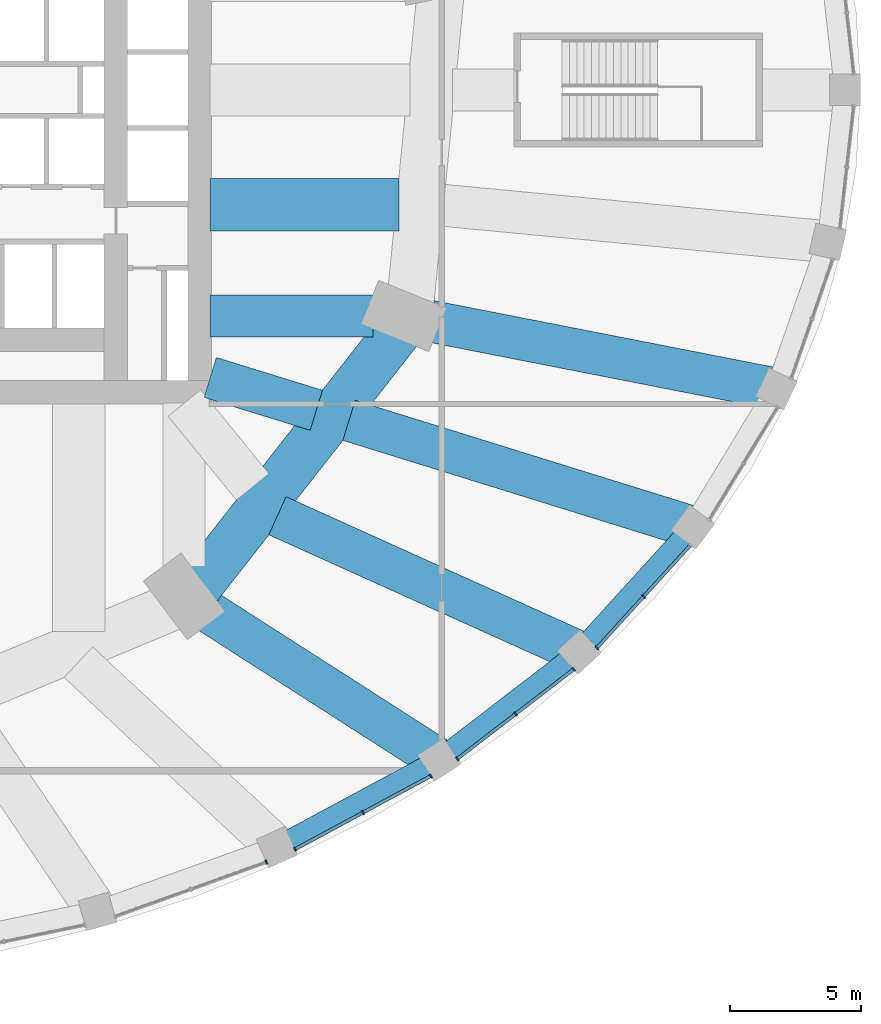
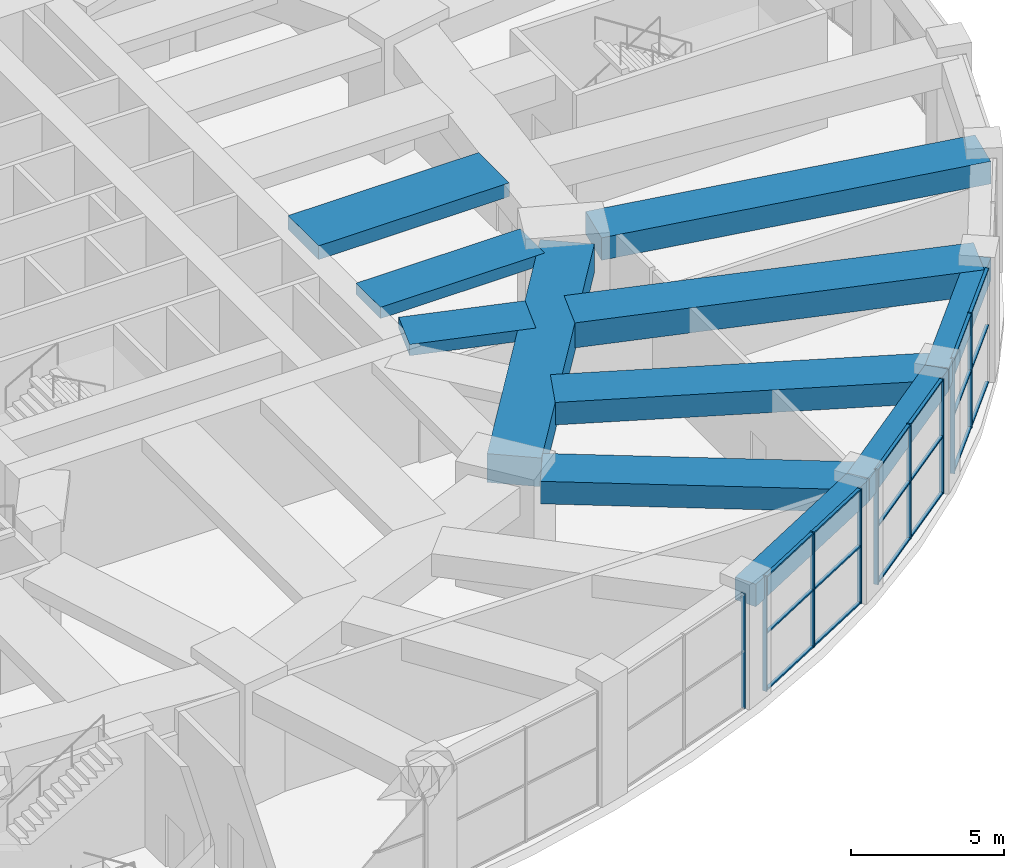
# One storey, part 12 of 32: 27 members, 11 beams, 4 elements without a shape of their own.
"""IFC4 building model written with IfcOpenShell, lengths in metres."""

from ifc_helpers import new_model, si_unit, direction, frame, origin, origin_2d, place, context, subcontext, project, spatial, rectangle, extrude, material, material_profile, profile_set, type_object, element, aggregate, save


model = new_model("IFC4")

# Units and contexts
model_context = context("Model", 3, precision=1e-05, world=origin(), true_north=direction((0.0, 1.0)))
body_context = subcontext(model_context, "Body", "Model", "MODEL_VIEW")
ifc_project = project(units=[si_unit("LENGTHUNIT", "METRE"), si_unit("AREAUNIT", "SQUARE_METRE"), si_unit("VOLUMEUNIT", "CUBIC_METRE"), si_unit("PLANEANGLEUNIT", "RADIAN"), si_unit("MASSUNIT", "GRAM", prefix="KILO")], contexts=[model_context])

# Site, building, storey
site_placement = place(None, origin())
site = spatial("IfcSite", under=ifc_project, at=site_placement, CompositionType="ELEMENT")
building_placement = place(site_placement, origin())
building = spatial("IfcBuilding", under=site, at=building_placement, Name="Taillehof Tower", CompositionType="ELEMENT")
storey_placement = place(building_placement, frame((0.0, 0.0, 7.5)))
storey = spatial("IfcBuildingStorey", under=building, at=storey_placement, Name="L01", CompositionType="ELEMENT", Elevation=7.5)

# Beams
ifc_material_1 = material(Name="Concrete C50/60", Category="concrete")
ifc_material_profile_1 = material_profile(ifc_material_1, rectangle(XDim=0.800048828125, YDim=0.89990234375, at=origin_2d()), Name="RC 800x900")
ifc_profile_set_1 = profile_set([ifc_material_profile_1], Name="Concrete C50/60")
beam_type_1 = type_object("IfcBeamType", Name="Podium edge beam C50/60 800x900", PredefinedType="BEAM", material=ifc_profile_set_1)
beam_1_placement = place(storey_placement, frame((21.699951171875, -28.92529296875, 4.139892578125), z_axis=(0.880322944269, 0.474374866317, 0.0), x_axis=(-0.474374866317, 0.880322944269, 0.0)))
element("IfcBeam", 1, at=beam_1_placement, inside=storey, type_object=beam_type_1, Name="Podium edge beam PB31", PredefinedType="BEAM", context=body_context, shape_type="SweptSolid", body=[
    extrude(rectangle(XDim=0.800048828125, YDim=0.89990234375, at=origin_2d()), origin(), (0.0, 0.0, 1.0), 7.03955078125),
])
beam_2_placement = place(storey_placement, frame((27.89697265625, -25.5859375, 4.139892578125), z_axis=(0.79247741179, 0.609901263978, 0.0), x_axis=(-0.609901263978, 0.79247741179, 0.0)))
element("IfcBeam", 2, at=beam_2_placement, inside=storey, type_object=beam_type_1, Name="Podium edge beam PB32", PredefinedType="BEAM", context=body_context, shape_type="SweptSolid", body=[
    extrude(rectangle(XDim=0.800048828125, YDim=0.89990234375, at=origin_2d()), origin(), (0.0, 0.0, 1.0), 6.750244140625),
])
beam_3_placement = place(storey_placement, frame((33.246337890625, -21.468994140625, 4.139892578125), z_axis=(0.67297994181, 0.739660731634, 0.0), x_axis=(-0.739660731634, 0.67297994181, 0.0)))
element("IfcBeam", 3, at=beam_3_placement, inside=storey, type_object=beam_type_1, Name="Podium edge beam PB33", PredefinedType="BEAM", context=body_context, shape_type="SweptSolid", body=[
    extrude(rectangle(XDim=0.800048828125, YDim=0.89990234375, at=origin_2d()), origin(), (0.0, 0.0, 1.0), 6.447509765625),
])
ifc_material_2 = material(Name="Concrete C50/60", Category="concrete")
ifc_material_profile_2 = material_profile(ifc_material_2, rectangle(XDim=1.60009765625, YDim=1.0, at=origin_2d()), Name="RC 1600x1000")
ifc_profile_set_2 = profile_set([ifc_material_profile_2], Name="Concrete C50/60")
beam_type_2 = type_object("IfcBeamType", Name="Podium radial beam C50/60 1600x1000", PredefinedType="BEAM", material=ifc_profile_set_2)
beam_4_placement = place(storey_placement, frame((37.58544921875, -16.699951171875, 4.090087890625), z_axis=(-0.954998937437, 0.296609220179, 0.0), x_axis=(-0.296609220179, -0.954998937437, 0.0)))
element("IfcBeam", 4, at=beam_4_placement, inside=storey, type_object=beam_type_2, Name="Podium radial beam PR34", PredefinedType="BEAM", context=body_context, shape_type="SweptSolid", body=[
    extrude(rectangle(XDim=1.60009765625, YDim=1.0, at=origin_2d()), origin(), (0.0, 0.0, 1.0), 13.748291015625),
])
ifc_material_3 = material(Name="Concrete C50/60", Category="concrete")
ifc_material_profile_3 = material_profile(ifc_material_3, rectangle(XDim=1.60009765625, YDim=0.89990234375, at=origin_2d()), Name="RC 1600x900")
ifc_profile_set_3 = profile_set([ifc_material_profile_3], Name="Concrete C50/60")
beam_type_3 = type_object("IfcBeamType", Name="Podium radial beam C50/60 1600x900", PredefinedType="BEAM", material=ifc_profile_set_3)
beam_5_placement = place(storey_placement, frame((27.89697265625, -25.5859375, 4.139892578125), z_axis=(-0.841841098356, 0.539725453465, 0.0), x_axis=(-0.539725453465, -0.841841098356, 0.0)))
element("IfcBeam", 5, at=beam_5_placement, inside=storey, type_object=beam_type_3, Name="Podium radial beam PR32", PredefinedType="BEAM", context=body_context, shape_type="SweptSolid", body=[
    extrude(rectangle(XDim=1.60009765625, YDim=0.89990234375, at=origin_2d()), origin(), (0.0, 0.0, 1.0), 10.39306640625),
])
beam_6_placement = place(storey_placement, frame((33.246337890625, -21.468994140625, 4.139892578125), z_axis=(-0.911451646907, 0.411407213538, 0.0), x_axis=(-0.411407213538, -0.911451646907, 0.0)))
element("IfcBeam", 6, at=beam_6_placement, inside=storey, type_object=beam_type_3, Name="Podium radial beam PR33", PredefinedType="BEAM", context=body_context, shape_type="SweptSolid", body=[
    extrude(rectangle(XDim=1.60009765625, YDim=0.89990234375, at=origin_2d()), origin(), (0.0, 0.0, 1.0), 12.645263671875),
])
beam_7_placement = place(storey_placement, frame((40.78271484375, -11.423583984375, 4.139892578125), z_axis=(-0.981362668378, 0.192164807166, 0.0), x_axis=(-0.192164807166, -0.981362668378, 0.0)))
element("IfcBeam", 7, at=beam_7_placement, inside=storey, type_object=beam_type_3, Name="Podium radial beam PR35", PredefinedType="BEAM", context=body_context, shape_type="SweptSolid", body=[
    extrude(rectangle(XDim=1.60009765625, YDim=0.89990234375, at=origin_2d()), origin(), (0.0, 0.0, 1.0), 13.479736328125),
])

# Curtain wall, member
ifc_material_4 = material(Name="Aluminium curtain wall with Clear low-emissivity double glazing", Category="aluminium")
curtain_wall_type = type_object("IfcCurtainWallType", Name="Podium window wall curtain wall", PredefinedType="USERDEFINED", material=ifc_material_4)
curtain_wall_1_placement = place(storey_placement, origin())
curtain_wall_1 = element("IfcCurtainWall", 8, at=curtain_wall_1_placement, inside=storey, type_object=curtain_wall_type, Name="Podium window wall L01 bay 30", ObjectType="WINDOW WALL", PredefinedType="USERDEFINED")
ifc_material_5 = material(Name="Aluminium mullion", Category="aluminium")
ifc_material_profile_4 = material_profile(ifc_material_5, rectangle(XDim=0.159912109375, YDim=0.06005859375, at=origin_2d()), Name="AL 60x160")
ifc_profile_set_4 = profile_set([ifc_material_profile_4], Name="Aluminium mullion")
member_type_1 = type_object("IfcMemberType", Name="Podium window wall mullion 60x160", PredefinedType="MULLION", material=ifc_profile_set_4)
member_1_placement = place(storey_placement, frame((21.29638671875, -29.4931640625, 0.0), z_axis=(0.0, 0.0, 1.0), x_axis=(-0.337798502496, 0.94121845058, 0.0)))
member_1 = element("IfcMember", 9, at=member_1_placement, type_object=member_type_1, Name="CT230 mullion 3", PredefinedType="MULLION", context=body_context, shape_type="SweptSolid", body=[
    extrude(rectangle(XDim=0.159912109375, YDim=0.06005859375, at=origin_2d()), origin(), (0.0, 0.0, 1.0), 4.590087890625),
])
aggregate(curtain_wall_1, [member_1])

# Curtain wall, members
curtain_wall_2_placement = place(storey_placement, origin())
curtain_wall_2 = element("IfcCurtainWall", 10, at=curtain_wall_2_placement, inside=storey, type_object=curtain_wall_type, Name="Podium window wall L01 bay 31", ObjectType="WINDOW WALL", PredefinedType="USERDEFINED")
member_2_placement = place(storey_placement, frame((22.392333984375, -29.004638671875, 0.0), z_axis=(0.0, 0.0, 1.0), x_axis=(-0.474414781992, 0.880301433958, 0.0)))
member_2 = element("IfcMember", 11, at=member_2_placement, type_object=member_type_1, Name="CT231 mullion 1", PredefinedType="MULLION", context=body_context, shape_type="SweptSolid", body=[
    extrude(rectangle(XDim=0.159912109375, YDim=0.06005859375, at=origin_2d()), origin(), (0.0, 0.0, 1.0), 4.590087890625),
])
member_3_placement = place(storey_placement, frame((24.98828125, -27.60546875, 0.0), z_axis=(0.0, 0.0, 1.0), x_axis=(-0.474414781992, 0.880301433958, 0.0)))
member_3 = element("IfcMember", 12, at=member_3_placement, type_object=member_type_1, Name="CT231 mullion 2", PredefinedType="MULLION", context=body_context, shape_type="SweptSolid", body=[
    extrude(rectangle(XDim=0.159912109375, YDim=0.06005859375, at=origin_2d()), origin(), (0.0, 0.0, 1.0), 4.590087890625),
])
member_4_placement = place(storey_placement, frame((27.584228515625, -26.20654296875, 0.0), z_axis=(0.0, 0.0, 1.0), x_axis=(-0.474414781992, 0.880301433958, 0.0)))
member_4 = element("IfcMember", 13, at=member_4_placement, type_object=member_type_1, Name="CT231 mullion 3", PredefinedType="MULLION", context=body_context, shape_type="SweptSolid", body=[
    extrude(rectangle(XDim=0.159912109375, YDim=0.06005859375, at=origin_2d()), origin(), (0.0, 0.0, 1.0), 4.590087890625),
])

curtain_wall_3_placement = place(storey_placement, origin())
curtain_wall_3 = element("IfcCurtainWall", 14, at=curtain_wall_3_placement, inside=storey, type_object=curtain_wall_type, Name="Podium window wall L01 bay 32", ObjectType="WINDOW WALL", PredefinedType="USERDEFINED")
member_5_placement = place(storey_placement, frame((28.59130859375, -25.5537109375, 0.0), z_axis=(0.0, 0.0, 1.0), x_axis=(-0.60993206075, 0.792453709228, 0.0)))
member_5 = element("IfcMember", 15, at=member_5_placement, type_object=member_type_1, Name="CT232 mullion 1", PredefinedType="MULLION", context=body_context, shape_type="SweptSolid", body=[
    extrude(rectangle(XDim=0.159912109375, YDim=0.06005859375, at=origin_2d()), origin(), (0.0, 0.0, 1.0), 4.590087890625),
])
member_6_placement = place(storey_placement, frame((30.8154296875, -23.842041015625, 0.0), z_axis=(0.0, 0.0, 1.0), x_axis=(-0.60993206075, 0.792453709228, 0.0)))
member_6 = element("IfcMember", 16, at=member_6_placement, type_object=member_type_1, Name="CT232 mullion 2", PredefinedType="MULLION", context=body_context, shape_type="SweptSolid", body=[
    extrude(rectangle(XDim=0.159912109375, YDim=0.06005859375, at=origin_2d()), origin(), (0.0, 0.0, 1.0), 4.590087890625),
])
member_7_placement = place(storey_placement, frame((33.03955078125, -22.130126953125, 0.0), z_axis=(0.0, 0.0, 1.0), x_axis=(-0.60993206075, 0.792453709228, 0.0)))
member_7 = element("IfcMember", 17, at=member_7_placement, type_object=member_type_1, Name="CT232 mullion 3", PredefinedType="MULLION", context=body_context, shape_type="SweptSolid", body=[
    extrude(rectangle(XDim=0.159912109375, YDim=0.06005859375, at=origin_2d()), origin(), (0.0, 0.0, 1.0), 4.590087890625),
])

curtain_wall_4_placement = place(storey_placement, origin())
curtain_wall_4 = element("IfcCurtainWall", 18, at=curtain_wall_4_placement, inside=storey, type_object=curtain_wall_type, Name="Podium window wall L01 bay 33", ObjectType="WINDOW WALL", PredefinedType="USERDEFINED")
member_8_placement = place(storey_placement, frame((33.922119140625, -21.317138671875, 0.0), z_axis=(0.0, 0.0, 1.0), x_axis=(-0.739707112587, 0.672928961769, 0.0)))
member_8 = element("IfcMember", 19, at=member_8_placement, type_object=member_type_1, Name="CT233 mullion 1", PredefinedType="MULLION", context=body_context, shape_type="SweptSolid", body=[
    extrude(rectangle(XDim=0.159912109375, YDim=0.06005859375, at=origin_2d()), origin(), (0.0, 0.0, 1.0), 4.590087890625),
])
member_9_placement = place(storey_placement, frame((35.7109375, -19.35107421875, 0.0), z_axis=(0.0, 0.0, 1.0), x_axis=(-0.739707112587, 0.672928961769, 0.0)))
member_9 = element("IfcMember", 20, at=member_9_placement, type_object=member_type_1, Name="CT233 mullion 2", PredefinedType="MULLION", context=body_context, shape_type="SweptSolid", body=[
    extrude(rectangle(XDim=0.159912109375, YDim=0.06005859375, at=origin_2d()), origin(), (0.0, 0.0, 1.0), 4.590087890625),
])

# Member
ifc_material_6 = material(Name="Aluminium transom", Category="aluminium")
ifc_material_profile_5 = material_profile(ifc_material_6, rectangle(XDim=0.1201171875, YDim=0.06005859375, at=origin_2d()), Name="AL 120x60")
ifc_profile_set_5 = profile_set([ifc_material_profile_5], Name="Aluminium transom")
member_type_2 = type_object("IfcMemberType", Name="Podium window wall transom 120x60", PredefinedType="USERDEFINED", material=ifc_profile_set_5)
member_10_placement = place(storey_placement, frame((22.418701171875, -28.990478515625, 0.030029296875), z_axis=(0.880300092261, 0.474417271571, 0.0), x_axis=(-0.474417271571, 0.880300092261, 0.0)))
member_10 = element("IfcMember", 21, at=member_10_placement, type_object=member_type_2, Name="CT231 transom 1.1", ObjectType="TRANSOM", PredefinedType="USERDEFINED", context=body_context, shape_type="SweptSolid", body=[
    extrude(rectangle(XDim=0.1201171875, YDim=0.06005859375, at=origin_2d()), origin(), (0.0, 0.0, 1.0), 2.888916015625),
])

member_11_placement = place(storey_placement, frame((22.418701171875, -28.990478515625, 2.294921875), z_axis=(0.880300092261, 0.474417271571, 0.0), x_axis=(-0.474417271571, 0.880300092261, 0.0)))
member_11 = element("IfcMember", 22, at=member_11_placement, type_object=member_type_2, Name="CT231 transom 1.2", ObjectType="TRANSOM", PredefinedType="USERDEFINED", context=body_context, shape_type="SweptSolid", body=[
    extrude(rectangle(XDim=0.1201171875, YDim=0.06005859375, at=origin_2d()), origin(), (0.0, 0.0, 1.0), 2.888916015625),
])

member_12_placement = place(storey_placement, frame((22.418701171875, -28.990478515625, 4.56005859375), z_axis=(0.880300092261, 0.474417271571, 0.0), x_axis=(-0.474417271571, 0.880300092261, 0.0)))
member_12 = element("IfcMember", 23, at=member_12_placement, type_object=member_type_2, Name="CT231 transom 1.3", ObjectType="TRANSOM", PredefinedType="USERDEFINED", context=body_context, shape_type="SweptSolid", body=[
    extrude(rectangle(XDim=0.1201171875, YDim=0.06005859375, at=origin_2d()), origin(), (0.0, 0.0, 1.0), 2.888916015625),
])

member_13_placement = place(storey_placement, frame((25.014892578125, -27.59130859375, 0.030029296875), z_axis=(0.880281070202, 0.474452566063, 0.0), x_axis=(-0.474452566063, 0.880281070202, 0.0)))
member_13 = element("IfcMember", 24, at=member_13_placement, type_object=member_type_2, Name="CT231 transom 2.1", ObjectType="TRANSOM", PredefinedType="USERDEFINED", context=body_context, shape_type="SweptSolid", body=[
    extrude(rectangle(XDim=0.1201171875, YDim=0.06005859375, at=origin_2d()), origin(), (0.0, 0.0, 1.0), 2.888916015625),
])

member_14_placement = place(storey_placement, frame((25.014892578125, -27.59130859375, 2.294921875), z_axis=(0.880281070202, 0.474452566063, 0.0), x_axis=(-0.474452566063, 0.880281070202, 0.0)))
member_14 = element("IfcMember", 25, at=member_14_placement, type_object=member_type_2, Name="CT231 transom 2.2", ObjectType="TRANSOM", PredefinedType="USERDEFINED", context=body_context, shape_type="SweptSolid", body=[
    extrude(rectangle(XDim=0.1201171875, YDim=0.06005859375, at=origin_2d()), origin(), (0.0, 0.0, 1.0), 2.888916015625),
])

member_15_placement = place(storey_placement, frame((25.014892578125, -27.59130859375, 4.56005859375), z_axis=(0.880281070202, 0.474452566063, 0.0), x_axis=(-0.474452566063, 0.880281070202, 0.0)))
member_15 = element("IfcMember", 26, at=member_15_placement, type_object=member_type_2, Name="CT231 transom 2.3", ObjectType="TRANSOM", PredefinedType="USERDEFINED", context=body_context, shape_type="SweptSolid", body=[
    extrude(rectangle(XDim=0.1201171875, YDim=0.06005859375, at=origin_2d()), origin(), (0.0, 0.0, 1.0), 2.888916015625),
])

aggregate(curtain_wall_2, [member_2, member_3, member_4, member_10, member_11, member_12, member_13, member_14, member_15])

member_16_placement = place(storey_placement, frame((28.614990234375, -25.535400390625, 0.030029296875), z_axis=(0.792481870823, 0.609895470075, 0.0), x_axis=(-0.609895470075, 0.792481870823, 0.0)))
member_16 = element("IfcMember", 27, at=member_16_placement, type_object=member_type_2, Name="CT232 transom 1.1", ObjectType="TRANSOM", PredefinedType="USERDEFINED", context=body_context, shape_type="SweptSolid", body=[
    extrude(rectangle(XDim=0.1201171875, YDim=0.06005859375, at=origin_2d()), origin(), (0.0, 0.0, 1.0), 2.746337890625),
])

member_17_placement = place(storey_placement, frame((28.614990234375, -25.535400390625, 2.294921875), z_axis=(0.792481870823, 0.609895470075, 0.0), x_axis=(-0.609895470075, 0.792481870823, 0.0)))
member_17 = element("IfcMember", 28, at=member_17_placement, type_object=member_type_2, Name="CT232 transom 1.2", ObjectType="TRANSOM", PredefinedType="USERDEFINED", context=body_context, shape_type="SweptSolid", body=[
    extrude(rectangle(XDim=0.1201171875, YDim=0.06005859375, at=origin_2d()), origin(), (0.0, 0.0, 1.0), 2.746337890625),
])

member_18_placement = place(storey_placement, frame((28.614990234375, -25.535400390625, 4.56005859375), z_axis=(0.792481870823, 0.609895470075, 0.0), x_axis=(-0.609895470075, 0.792481870823, 0.0)))
member_18 = element("IfcMember", 29, at=member_18_placement, type_object=member_type_2, Name="CT232 transom 1.3", ObjectType="TRANSOM", PredefinedType="USERDEFINED", context=body_context, shape_type="SweptSolid", body=[
    extrude(rectangle(XDim=0.1201171875, YDim=0.06005859375, at=origin_2d()), origin(), (0.0, 0.0, 1.0), 2.746337890625),
])

member_19_placement = place(storey_placement, frame((30.839111328125, -23.82373046875, 0.030029296875), z_axis=(0.792438906392, 0.609951292839, 0.0), x_axis=(-0.609951292839, 0.792438906392, 0.0)))
member_19 = element("IfcMember", 30, at=member_19_placement, type_object=member_type_2, Name="CT232 transom 2.1", ObjectType="TRANSOM", PredefinedType="USERDEFINED", context=body_context, shape_type="SweptSolid", body=[
    extrude(rectangle(XDim=0.1201171875, YDim=0.06005859375, at=origin_2d()), origin(), (0.0, 0.0, 1.0), 2.74658203125),
])

member_20_placement = place(storey_placement, frame((30.839111328125, -23.82373046875, 2.294921875), z_axis=(0.792438906392, 0.609951292839, 0.0), x_axis=(-0.609951292839, 0.792438906392, 0.0)))
member_20 = element("IfcMember", 31, at=member_20_placement, type_object=member_type_2, Name="CT232 transom 2.2", ObjectType="TRANSOM", PredefinedType="USERDEFINED", context=body_context, shape_type="SweptSolid", body=[
    extrude(rectangle(XDim=0.1201171875, YDim=0.06005859375, at=origin_2d()), origin(), (0.0, 0.0, 1.0), 2.74658203125),
])

member_21_placement = place(storey_placement, frame((30.839111328125, -23.82373046875, 4.56005859375), z_axis=(0.792438906392, 0.609951292839, 0.0), x_axis=(-0.609951292839, 0.792438906392, 0.0)))
member_21 = element("IfcMember", 32, at=member_21_placement, type_object=member_type_2, Name="CT232 transom 2.3", ObjectType="TRANSOM", PredefinedType="USERDEFINED", context=body_context, shape_type="SweptSolid", body=[
    extrude(rectangle(XDim=0.1201171875, YDim=0.06005859375, at=origin_2d()), origin(), (0.0, 0.0, 1.0), 2.74658203125),
])

aggregate(curtain_wall_3, [member_5, member_6, member_7, member_16, member_17, member_18, member_19, member_20, member_21])

member_22_placement = place(storey_placement, frame((33.9423828125, -21.294921875, 0.030029296875), z_axis=(0.672958072108, 0.73968062918, 0.0), x_axis=(-0.73968062918, 0.672958072108, 0.0)))
member_22 = element("IfcMember", 33, at=member_22_placement, type_object=member_type_2, Name="CT233 transom 1.1", ObjectType="TRANSOM", PredefinedType="USERDEFINED", context=body_context, shape_type="SweptSolid", body=[
    extrude(rectangle(XDim=0.1201171875, YDim=0.06005859375, at=origin_2d()), origin(), (0.0, 0.0, 1.0), 2.597900390625),
])

member_23_placement = place(storey_placement, frame((33.9423828125, -21.294921875, 2.294921875), z_axis=(0.672958072108, 0.73968062918, 0.0), x_axis=(-0.73968062918, 0.672958072108, 0.0)))
member_23 = element("IfcMember", 34, at=member_23_placement, type_object=member_type_2, Name="CT233 transom 1.2", ObjectType="TRANSOM", PredefinedType="USERDEFINED", context=body_context, shape_type="SweptSolid", body=[
    extrude(rectangle(XDim=0.1201171875, YDim=0.06005859375, at=origin_2d()), origin(), (0.0, 0.0, 1.0), 2.597900390625),
])

member_24_placement = place(storey_placement, frame((33.9423828125, -21.294921875, 4.56005859375), z_axis=(0.672958072108, 0.73968062918, 0.0), x_axis=(-0.73968062918, 0.672958072108, 0.0)))
member_24 = element("IfcMember", 35, at=member_24_placement, type_object=member_type_2, Name="CT233 transom 1.3", ObjectType="TRANSOM", PredefinedType="USERDEFINED", context=body_context, shape_type="SweptSolid", body=[
    extrude(rectangle(XDim=0.1201171875, YDim=0.06005859375, at=origin_2d()), origin(), (0.0, 0.0, 1.0), 2.597900390625),
])

member_25_placement = place(storey_placement, frame((35.73095703125, -19.328857421875, 0.030029296875), z_axis=(0.672911295482, 0.739723183639, 0.0), x_axis=(-0.739723183639, 0.672911295482, 0.0)))
member_25 = element("IfcMember", 36, at=member_25_placement, type_object=member_type_2, Name="CT233 transom 2.1", ObjectType="TRANSOM", PredefinedType="USERDEFINED", context=body_context, shape_type="SweptSolid", body=[
    extrude(rectangle(XDim=0.1201171875, YDim=0.06005859375, at=origin_2d()), origin(), (0.0, 0.0, 1.0), 2.59814453125),
])

member_26_placement = place(storey_placement, frame((35.73095703125, -19.328857421875, 2.294921875), z_axis=(0.672911295482, 0.739723183639, 0.0), x_axis=(-0.739723183639, 0.672911295482, 0.0)))
member_26 = element("IfcMember", 37, at=member_26_placement, type_object=member_type_2, Name="CT233 transom 2.2", ObjectType="TRANSOM", PredefinedType="USERDEFINED", context=body_context, shape_type="SweptSolid", body=[
    extrude(rectangle(XDim=0.1201171875, YDim=0.06005859375, at=origin_2d()), origin(), (0.0, 0.0, 1.0), 2.59814453125),
])

member_27_placement = place(storey_placement, frame((35.73095703125, -19.328857421875, 4.56005859375), z_axis=(0.672911295482, 0.739723183639, 0.0), x_axis=(-0.739723183639, 0.672911295482, 0.0)))
member_27 = element("IfcMember", 38, at=member_27_placement, type_object=member_type_2, Name="CT233 transom 2.3", ObjectType="TRANSOM", PredefinedType="USERDEFINED", context=body_context, shape_type="SweptSolid", body=[
    extrude(rectangle(XDim=0.1201171875, YDim=0.06005859375, at=origin_2d()), origin(), (0.0, 0.0, 1.0), 2.59814453125),
])

aggregate(curtain_wall_4, [member_8, member_9, member_22, member_23, member_24, member_25, member_26, member_27])

# Beams
ifc_material_7 = material(Name="Concrete C50/60", Category="concrete")
ifc_material_profile_6 = material_profile(ifc_material_7, rectangle(XDim=1.60009765625, YDim=0.449951171875, at=origin_2d()), Name="RC 1600x450")
ifc_profile_set_6 = profile_set([ifc_material_profile_6], Name="Concrete C50/60")
beam_type_4 = type_object("IfcBeamType", Name="Radial band beam C50/60 1600x450", PredefinedType="BEAM", material=ifc_profile_set_6)
beam_8_placement = place(storey_placement, frame((23.20556640625, -12.236328125, 4.364990234375), z_axis=(-0.955529794547, 0.294894577321, 0.0), x_axis=(-0.294894577321, -0.955529794547, 0.0)))
element("IfcBeam", 39, at=beam_8_placement, inside=storey, type_object=beam_type_4, Name="Radial band beam RB34", PredefinedType="BEAM", context=body_context, shape_type="SweptSolid", body=[
    extrude(rectangle(XDim=1.60009765625, YDim=0.449951171875, at=origin_2d()), origin(), (0.0, 0.0, 1.0), 4.2421875),
])
beam_9_placement = place(storey_placement, frame((25.362060546875, -8.635986328125, 4.364990234375), z_axis=(-1.0, 0.0, 0.0), x_axis=(0.0, -1.0, 0.0)))
element("IfcBeam", 40, at=beam_9_placement, inside=storey, type_object=beam_type_4, Name="Radial band beam RB35", PredefinedType="BEAM", context=body_context, shape_type="SweptSolid", body=[
    extrude(rectangle(XDim=1.60009765625, YDim=0.449951171875, at=origin_2d()), origin(), (0.0, 0.0, 1.0), 6.212158203125),
])
ifc_material_8 = material(Name="Concrete C50/60", Category="concrete")
ifc_material_profile_7 = material_profile(ifc_material_8, rectangle(XDim=2.0, YDim=0.550048828125, at=origin_2d()), Name="RC 2000x550")
ifc_profile_set_7 = profile_set([ifc_material_profile_7], Name="Concrete C50/60")
beam_type_5 = type_object("IfcBeamType", Name="Radial band beam C50/60 2000x550", PredefinedType="BEAM", material=ifc_profile_set_7)
beam_10_placement = place(storey_placement, frame((26.358642578125, -4.384521484375, 4.31494140625), z_axis=(-1.0, 0.0, 0.0), x_axis=(0.0, -1.0, 0.0)))
element("IfcBeam", 41, at=beam_10_placement, inside=storey, type_object=beam_type_5, Name="Radial band beam RB36", PredefinedType="BEAM", context=body_context, shape_type="SweptSolid", body=[
    extrude(rectangle(XDim=2.0, YDim=0.550048828125, at=origin_2d()), origin(), (0.0, 0.0, 1.0), 7.208740234375),
])
ifc_material_9 = material(Name="Concrete C50/60", Category="concrete")
ifc_material_profile_8 = material_profile(ifc_material_9, rectangle(XDim=1.800048828125, YDim=1.14990234375, at=origin_2d()), Name="RC 1800x1150")
ifc_profile_set_8 = profile_set([ifc_material_profile_8], Name="Concrete C50/60")
beam_type_6 = type_object("IfcBeamType", Name="Ring floor beam C50/60 1800x1150", PredefinedType="BEAM", material=ifc_profile_set_8)
beam_11_placement = place(storey_placement, frame((18.706787109375, -18.96728515625, 4.014892578125), z_axis=(0.616695661832, 0.787201664555, 0.0), x_axis=(-0.787201664555, 0.616695661832, 0.0)))
element("IfcBeam", 42, at=beam_11_placement, inside=storey, type_object=beam_type_6, Name="Ring floor beam RG11", PredefinedType="BEAM", context=body_context, shape_type="SweptSolid", body=[
    extrude(rectangle(XDim=1.800048828125, YDim=1.14990234375, at=origin_2d()), origin(), (0.0, 0.0, 1.0), 12.351318359375),
])

save(model, "model.ifc")
